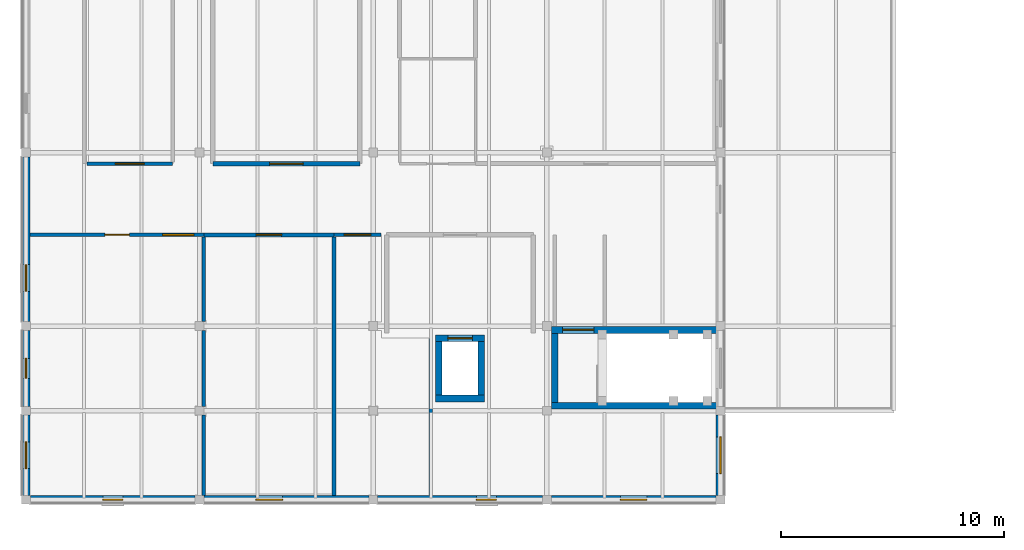
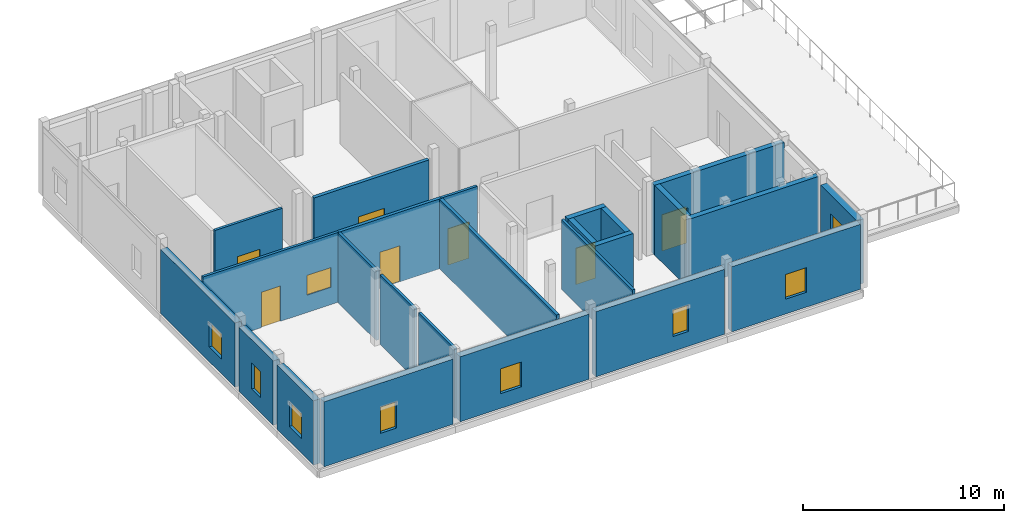
# One storey, part 34 of 45: 25 walls, 9 windows, 7 doors, 16 openings.
"""IFC4 building model written with IfcOpenShell, lengths in metres."""

import ifcopenshell
import ifcopenshell.guid

model = None  # the IFC model being written
_history = None  # IfcOwnerHistory: only IFC2X3 demands one
_inside = {}  # id of a spatial element -> (the spatial element, [elements in it])
_under = {}  # id of a project, library or spatial element -> (it, [spatial elements below it])
_declared = {}  # id of a project -> (the project, [libraries it declares])
_typed = {}  # id of a type object -> (the type object, [elements of that type])
_made_of = {}  # id of a material, layer set ... -> (it, [elements and type objects made of it])


def new_model(schema):
    """Start an empty IFC model of exactly this schema.

    Asked for "IFC4X3", IfcOpenShell would pick the latest addendum, in which some entities
    have other attributes; the version numbers below select the first issue.
    IFC2X3 requires an IfcOwnerHistory on every rooted entity: one is made here for all.
    """
    global model, _history
    if schema == "IFC4X3":
        model = ifcopenshell.file(schema_version=(4, 3, 0, 0))
    else:
        model = ifcopenshell.file(schema=schema)
    _inside.clear()
    _under.clear()
    _declared.clear()
    _typed.clear()
    _made_of.clear()
    _history = None
    if model.schema == "IFC2X3":
        org = make("IfcOrganization", Name="unknown")
        user = make(
            "IfcPersonAndOrganization",
            ThePerson=make("IfcPerson", FamilyName="unknown"),
            TheOrganization=org,
        )
        app = make(
            "IfcApplication",
            ApplicationDeveloper=org,
            Version="unknown",
            ApplicationFullName="unknown",
            ApplicationIdentifier="unknown",
        )
        _history = make(
            "IfcOwnerHistory",
            OwningUser=user,
            OwningApplication=app,
            ChangeAction="ADDED",
            CreationDate=0,
        )
    return model


def make(cls, **values):
    """One entity of the class cls with the attributes given. An attribute that is None is left unset."""
    return model.create_entity(
        cls, **{name: value for name, value in values.items() if value is not None}
    )


def rooted(cls, **values):
    """An entity with a GlobalId (a new one), such as an element, a storey or a relation."""
    return make(cls, GlobalId=ifcopenshell.guid.new(), OwnerHistory=_history, **values)


def si_unit(unit_type, name, prefix=None):
    """IfcSIUnit, for example si_unit("LENGTHUNIT", "METRE", prefix="MILLI")."""
    return make("IfcSIUnit", UnitType=unit_type, Prefix=prefix, Name=name)


def assignment(units):
    """IfcUnitAssignment: the units of a project."""
    return None if units is None else make("IfcUnitAssignment", Units=units)


def point(xyz):
    """IfcCartesianPoint."""
    return None if xyz is None else make("IfcCartesianPoint", Coordinates=xyz)


def direction(xyz):
    """IfcDirection."""
    return None if xyz is None else make("IfcDirection", DirectionRatios=xyz)


def frame(location, z_axis=None, x_axis=None):
    """IfcAxis2Placement3D, a coordinate frame: its origin and axes. An axis left out is left unset."""
    return make(
        "IfcAxis2Placement3D",
        Location=point(location),
        Axis=direction(z_axis),
        RefDirection=direction(x_axis),
    )


def frame_2d(location, x_axis=None):
    """IfcAxis2Placement2D, a coordinate frame in the plane: its origin and x axis."""
    return make(
        "IfcAxis2Placement2D", Location=point(location), RefDirection=direction(x_axis)
    )


def origin():
    """The frame at (0, 0, 0) with its axes left unset."""
    return frame((0.0, 0.0, 0.0))


def place(relative_to, where):
    """IfcLocalPlacement: puts the frame where relative to a parent placement (None: the world)."""
    return make(
        "IfcLocalPlacement", PlacementRelTo=relative_to, RelativePlacement=where
    )


def context(
    kind, dimensions, precision=None, world=None, true_north=None, identifier=None
):
    """IfcGeometricRepresentationContext, for example the 3D "Model" context."""
    return make(
        "IfcGeometricRepresentationContext",
        ContextIdentifier=identifier,
        ContextType=kind,
        CoordinateSpaceDimension=dimensions,
        Precision=precision,
        WorldCoordinateSystem=world,
        TrueNorth=true_north,
    )


def subcontext(parent, identifier, kind, view, scale=None):
    """IfcGeometricRepresentationSubContext, for example "Body" below "Model"."""
    return make(
        "IfcGeometricRepresentationSubContext",
        ContextIdentifier=identifier,
        ContextType=kind,
        ParentContext=parent,
        TargetScale=scale,
        TargetView=view,
    )


def project(units=None, contexts=None):
    """IfcProject with its units and contexts."""
    return rooted(
        "IfcProject",
        Name="project",
        RepresentationContexts=contexts,
        UnitsInContext=assignment(units),
    )


def spatial(cls, under=None, at=None, **own):
    """A site, building, storey or space (cls), placed at a placement, below another one or the project."""
    s = rooted(cls, ObjectPlacement=at, **own)
    if under is not None:
        _under.setdefault(under.id(), (under, []))[1].append(s)
    return s


def profile(cls, at=None, kind="AREA", **sizes):
    """A parametric profile (cls). Its sizes go by their IFC names, for example OverallWidth=200.0."""
    return make(cls, ProfileType=kind, Position=at, **sizes)


def rectangle(**sizes):
    """IfcRectangleProfileDef."""
    return profile("IfcRectangleProfileDef", **sizes)


def extrude(swept, where, along, depth):
    """IfcExtrudedAreaSolid: the profile swept, set in the frame where, extruded along a direction by depth."""
    return make(
        "IfcExtrudedAreaSolid",
        SweptArea=swept,
        Position=where,
        ExtrudedDirection=direction(along),
        Depth=depth,
    )


def shape(context_of_items, identifier, shape_type, items):
    """IfcShapeRepresentation: the items that make up one representation, for example the "Body"."""
    return make(
        "IfcShapeRepresentation",
        ContextOfItems=context_of_items,
        RepresentationIdentifier=identifier,
        RepresentationType=shape_type,
        Items=items,
    )


def material(Name=None, Category=None):
    """IfcMaterial."""
    return make("IfcMaterial", Name=Name, Category=Category)


def layer(
    of_material, thickness, ventilated=None, Name=None, Category=None, Priority=None
):
    """IfcMaterialLayer: one layer of a wall or slab, of a material (None: an air gap)."""
    return make(
        "IfcMaterialLayer",
        Material=of_material,
        LayerThickness=thickness,
        IsVentilated=ventilated,
        Name=Name,
        Category=Category,
        Priority=Priority,
    )


def layer_set(layers, Name=None):
    """IfcMaterialLayerSet."""
    return make("IfcMaterialLayerSet", MaterialLayers=layers, LayerSetName=Name)


def made_of(thing, what):
    """Note that an element or type object is made of a material, layer set ...; save() writes the relation."""
    if what is not None:
        _made_of.setdefault(what.id(), (what, []))[1].append(thing)
    return thing


def type_object(cls, material=None, **own):
    """A type object (cls), such as IfcWallType, which elements share."""
    return made_of(rooted(cls, **own), material)


def element(
    cls,
    number,
    at=None,
    inside=None,
    cuts=None,
    type_object=None,
    material=None,
    context=None,
    identifier="Body",
    shape_type=None,
    held_by="IfcProductDefinitionShape",
    body=None,
    shapes=None,
    **own,
):
    """One element of the class cls, such as IfcWall. Its Tag is "e" and its number.

    at: its placement. inside: the storey or other place that contains it. cuts: it is an
    opening in that element (IfcRelVoidsElement). A single representation is given by context,
    identifier, shape_type and body (its items); several are given by shapes. held_by: the class
    of the entity that holds the representations. save() writes the other relations.
    """
    e = rooted(cls, Tag="e%d" % number, ObjectPlacement=at, **own)
    if body is not None:
        shapes = [shape(context, identifier, shape_type, body)]
    if shapes is not None:
        e.Representation = make(held_by, Representations=shapes)
    if inside is not None:
        _inside.setdefault(inside.id(), (inside, []))[1].append(e)
    if cuts is not None:
        rooted(
            "IfcRelVoidsElement", RelatingBuildingElement=cuts, RelatedOpeningElement=e
        )
    if type_object is not None:
        _typed.setdefault(type_object.id(), (type_object, []))[1].append(e)
    return made_of(e, material)


def fill(opening, filler):
    """IfcRelFillsElement: the door or window that sits in an opening."""
    return rooted(
        "IfcRelFillsElement",
        RelatingOpeningElement=opening,
        RelatedBuildingElement=filler,
    )


def aggregate(whole, parts):
    """IfcRelAggregates: a whole, such as a stair, and the parts it consists of."""
    return rooted("IfcRelAggregates", RelatingObject=whole, RelatedObjects=parts)


def save(model, path):
    """Write the relations noted so far, then the file.

    IfcRelAggregates (storeys below a building ...), IfcRelContainedInSpatialStructure (elements
    in a storey), IfcRelDefinesByType, IfcRelAssociatesMaterial and IfcRelDeclares: one each for
    every whole, place, type object, material and project.
    """
    for whole, parts in _under.values():
        aggregate(whole, parts)
    for where, things in _inside.values():
        rooted(
            "IfcRelContainedInSpatialStructure",
            RelatedElements=things,
            RelatingStructure=where,
        )
    for kind, things in _typed.values():
        rooted("IfcRelDefinesByType", RelatedObjects=things, RelatingType=kind)
    for what, things in _made_of.values():
        rooted("IfcRelAssociatesMaterial", RelatedObjects=things, RelatingMaterial=what)
    for by, libraries in _declared.values():
        rooted("IfcRelDeclares", RelatingContext=by, RelatedDefinitions=libraries)
    model.write(path)


model = new_model("IFC4")

# Units and contexts
model_context = context("Model", 3, precision=1e-05, world=origin(), true_north=direction((0.0, 1.0)))
body_context = subcontext(model_context, "Body", "Model", "MODEL_VIEW")
ifc_project = project(units=[si_unit("LENGTHUNIT", "METRE"), si_unit("AREAUNIT", "SQUARE_METRE"), si_unit("VOLUMEUNIT", "CUBIC_METRE"), si_unit("PLANEANGLEUNIT", "RADIAN"), si_unit("MASSUNIT", "GRAM", prefix="KILO")], contexts=[model_context])

# Site, building, storey
site_placement = place(None, origin())
site = spatial("IfcSite", under=ifc_project, at=site_placement, CompositionType="ELEMENT")
building_placement = place(site_placement, origin())
building = spatial("IfcBuilding", under=site, at=building_placement, Name="Celorna Specialist Clinic", CompositionType="ELEMENT")
storey_placement = place(building_placement, frame((0.0, 0.0, 18.60009765625)))
storey = spatial("IfcBuildingStorey", under=building, at=storey_placement, Name="L04", CompositionType="ELEMENT", Elevation=18.60009765625)

# Wall, opening, window
ifc_material_1 = material(Name="Terracotta masonry with insulated cavity", Category="masonry")
ifc_layer_1 = layer(ifc_material_1, 0.3798828125, Name="Terracotta masonry with insulated cavity")
ifc_layer_set_1 = layer_set([ifc_layer_1], Name="Terracotta masonry with insulated cavity")
wall_type_1 = type_object("IfcWallType", Name="WT-06", PredefinedType="STANDARD", material=ifc_layer_set_1)
wall_1_placement = place(storey_placement, frame((7.60009765625, 0.0, 0.0), z_axis=(0.0, 0.0, 1.0), x_axis=(-1.0, 0.0, 0.0)))
wall_1 = element("IfcWall", 1, at=wall_1_placement, inside=storey, type_object=wall_type_1, Name="External facade wall WT-06 #360", PredefinedType="STANDARD", context=body_context, shape_type="SweptSolid", body=[
    extrude(rectangle(XDim=7.400146484375, YDim=0.3798828125, at=frame_2d((3.7001953125, 0.0))), origin(), (0.0, 0.0, 1.0), 3.949951171875),
])
opening_1_placement = place(wall_1_placement, frame((3.25, 0.0, 0.89990234375)))
opening_1 = element("IfcOpeningElement", 2, at=opening_1_placement, cuts=wall_1, Name="Opening WN-01", PredefinedType="OPENING", context=body_context, shape_type="SweptSolid", body=[
    extrude(rectangle(XDim=0.89990234375, YDim=1.60009765625, at=frame_2d((0.449951171875, 0.800048828125))), frame((0.0, 0.199951171875, 0.0), z_axis=(0.0, -1.0, 0.0), x_axis=(1.0, 0.0, 0.0)), (0.0, 0.0, 1.0), 0.39990234375),
])
ifc_material_2 = material(Name="Thermally broken aluminium triple-glazed window", Category="aluminium")
window_type_1 = type_object("IfcWindowType", Name="WN-01", PartitioningType="SINGLE_PANEL", PredefinedType="WINDOW", material=ifc_material_2)
window_1_placement = place(opening_1_placement, origin())
window_1 = element("IfcWindow", 3, at=window_1_placement, inside=storey, type_object=window_type_1, Name="Facade window WN-01 #224", OverallHeight=1.60009765625, OverallWidth=0.89990234375, PartitioningType="SINGLE_PANEL", PredefinedType="WINDOW", context=body_context, shape_type="SweptSolid", body=[
    extrude(rectangle(XDim=0.89990234375, YDim=1.60009765625, at=frame_2d((0.449951171875, 0.800048828125))), frame((0.0, 0.030029296875, 0.0), z_axis=(0.0, -1.0, 0.0), x_axis=(1.0, 0.0, 0.0)), (0.0, 0.0, 1.0), 0.06005859375),
])
fill(opening_1, window_1)

wall_2_placement = place(storey_placement, frame((15.39990234375, 0.0, 0.0), z_axis=(0.0, 0.0, 1.0), x_axis=(-1.0, 0.0, 0.0)))
wall_2 = element("IfcWall", 4, at=wall_2_placement, inside=storey, type_object=wall_type_1, Name="External facade wall WT-06 #361", PredefinedType="STANDARD", context=body_context, shape_type="SweptSolid", body=[
    extrude(rectangle(XDim=7.39990234375, YDim=0.3798828125, at=frame_2d((3.699951171875, 0.0))), origin(), (0.0, 0.0, 1.0), 3.949951171875),
])
opening_2_placement = place(wall_2_placement, frame((3.8701171875, 0.0, 0.89990234375)))
opening_2 = element("IfcOpeningElement", 5, at=opening_2_placement, cuts=wall_2, Name="Opening WN-04", PredefinedType="OPENING", context=body_context, shape_type="SweptSolid", body=[
    extrude(rectangle(XDim=1.199951171875, YDim=1.5, at=frame_2d((0.60009765625, 0.75))), frame((0.0, 0.199951171875, 0.0), z_axis=(0.0, -1.0, 0.0), x_axis=(1.0, 0.0, 0.0)), (0.0, 0.0, 1.0), 0.39990234375),
])
window_type_2 = type_object("IfcWindowType", Name="WN-04", PartitioningType="SINGLE_PANEL", PredefinedType="WINDOW", material=ifc_material_2)
window_2_placement = place(opening_2_placement, origin())
window_2 = element("IfcWindow", 6, at=window_2_placement, inside=storey, type_object=window_type_2, Name="Facade window WN-04 #225", OverallHeight=1.5, OverallWidth=1.199951171875, PartitioningType="SINGLE_PANEL", PredefinedType="WINDOW", context=body_context, shape_type="SweptSolid", body=[
    extrude(rectangle(XDim=1.199951171875, YDim=1.5, at=frame_2d((0.60009765625, 0.75))), frame((0.0, 0.030029296875, 0.0), z_axis=(0.0, -1.0, 0.0), x_axis=(1.0, 0.0, 0.0)), (0.0, 0.0, 1.0), 0.06005859375),
])
fill(opening_2, window_2)

wall_3_placement = place(storey_placement, frame((23.199951171875, 0.0, 0.0), z_axis=(0.0, 0.0, 1.0), x_axis=(-1.0, 0.0, 0.0)))
wall_3 = element("IfcWall", 7, at=wall_3_placement, inside=storey, type_object=wall_type_1, Name="External facade wall WT-06 #362", PredefinedType="STANDARD", context=body_context, shape_type="SweptSolid", body=[
    extrude(rectangle(XDim=7.39990234375, YDim=0.3798828125, at=frame_2d((3.699951171875, 0.0))), origin(), (0.0, 0.0, 1.0), 3.949951171875),
])
opening_3_placement = place(wall_3_placement, frame((2.06494140625, 0.0, 0.89990234375)))
opening_3 = element("IfcOpeningElement", 8, at=opening_3_placement, cuts=wall_3, Name="Opening WN-01", PredefinedType="OPENING", context=body_context, shape_type="SweptSolid", body=[
    extrude(rectangle(XDim=0.89990234375, YDim=1.60009765625, at=frame_2d((0.449951171875, 0.800048828125))), frame((0.0, 0.199951171875, 0.0), z_axis=(0.0, -1.0, 0.0), x_axis=(1.0, 0.0, 0.0)), (0.0, 0.0, 1.0), 0.39990234375),
])
window_3_placement = place(opening_3_placement, origin())
window_3 = element("IfcWindow", 9, at=window_3_placement, inside=storey, type_object=window_type_1, Name="Facade window WN-01 #226", OverallHeight=1.60009765625, OverallWidth=0.89990234375, PartitioningType="SINGLE_PANEL", PredefinedType="WINDOW", context=body_context, shape_type="SweptSolid", body=[
    extrude(rectangle(XDim=0.89990234375, YDim=1.60009765625, at=frame_2d((0.449951171875, 0.800048828125))), frame((0.0, 0.030029296875, 0.0), z_axis=(0.0, -1.0, 0.0), x_axis=(1.0, 0.0, 0.0)), (0.0, 0.0, 1.0), 0.06005859375),
])
fill(opening_3, window_3)

wall_4_placement = place(storey_placement, frame((31.0, 0.0, 0.0), z_axis=(0.0, 0.0, 1.0), x_axis=(-1.0, 0.0, 0.0)))
wall_4 = element("IfcWall", 10, at=wall_4_placement, inside=storey, type_object=wall_type_1, Name="External facade wall WT-06 #363", PredefinedType="STANDARD", context=body_context, shape_type="SweptSolid", body=[
    extrude(rectangle(XDim=7.39990234375, YDim=0.3798828125, at=frame_2d((3.699951171875, 0.0))), origin(), (0.0, 0.0, 1.0), 3.949951171875),
])
opening_4_placement = place(wall_4_placement, frame((3.10009765625, 0.0, 0.89990234375)))
opening_4 = element("IfcOpeningElement", 11, at=opening_4_placement, cuts=wall_4, Name="Opening WN-04", PredefinedType="OPENING", context=body_context, shape_type="SweptSolid", body=[
    extrude(rectangle(XDim=1.199951171875, YDim=1.5, at=frame_2d((0.60009765625, 0.75))), frame((0.0, 0.199951171875, 0.0), z_axis=(0.0, -1.0, 0.0), x_axis=(1.0, 0.0, 0.0)), (0.0, 0.0, 1.0), 0.39990234375),
])
window_4_placement = place(opening_4_placement, origin())
window_4 = element("IfcWindow", 12, at=window_4_placement, inside=storey, type_object=window_type_2, Name="Facade window WN-04 #227", OverallHeight=1.5, OverallWidth=1.199951171875, PartitioningType="SINGLE_PANEL", PredefinedType="WINDOW", context=body_context, shape_type="SweptSolid", body=[
    extrude(rectangle(XDim=1.199951171875, YDim=1.5, at=frame_2d((0.60009765625, 0.75))), frame((0.0, 0.030029296875, 0.0), z_axis=(0.0, -1.0, 0.0), x_axis=(1.0, 0.0, 0.0)), (0.0, 0.0, 1.0), 0.06005859375),
])
fill(opening_4, window_4)

wall_5_placement = place(storey_placement, frame((0.0, 0.199951171875, 0.0), z_axis=(0.0, 0.0, 1.0), x_axis=(0.0, 1.0, 0.0)))
wall_5 = element("IfcWall", 13, at=wall_5_placement, inside=storey, type_object=wall_type_1, Name="External facade wall WT-06 #368", PredefinedType="STANDARD", context=body_context, shape_type="SweptSolid", body=[
    extrude(rectangle(XDim=3.60009765625, YDim=0.3798828125, at=frame_2d((1.800048828125, 0.0))), origin(), (0.0, 0.0, 1.0), 3.89990234375),
])
opening_5_placement = place(wall_5_placement, frame((1.199951171875, 0.0, 0.89990234375)))
opening_5 = element("IfcOpeningElement", 14, at=opening_5_placement, cuts=wall_5, Name="Opening WN-04", PredefinedType="OPENING", context=body_context, shape_type="SweptSolid", body=[
    extrude(rectangle(XDim=1.199951171875, YDim=1.5, at=frame_2d((0.60009765625, 0.75))), frame((0.0, 0.199951171875, 0.0), z_axis=(0.0, -1.0, 0.0), x_axis=(1.0, 0.0, 0.0)), (0.0, 0.0, 1.0), 0.39990234375),
])
window_5_placement = place(opening_5_placement, origin())
window_5 = element("IfcWindow", 15, at=window_5_placement, inside=storey, type_object=window_type_2, Name="Facade window WN-04 #234", OverallHeight=1.5, OverallWidth=1.199951171875, PartitioningType="SINGLE_PANEL", PredefinedType="WINDOW", context=body_context, shape_type="SweptSolid", body=[
    extrude(rectangle(XDim=1.199951171875, YDim=1.5, at=frame_2d((0.60009765625, 0.75))), frame((0.0, 0.030029296875, 0.0), z_axis=(0.0, -1.0, 0.0), x_axis=(1.0, 0.0, 0.0)), (0.0, 0.0, 1.0), 0.06005859375),
])
fill(opening_5, window_5)

wall_6_placement = place(storey_placement, frame((0.0, 4.199951171875, 0.0), z_axis=(0.0, 0.0, 1.0), x_axis=(0.0, 1.0, 0.0)))
wall_6 = element("IfcWall", 16, at=wall_6_placement, inside=storey, type_object=wall_type_1, Name="External facade wall WT-06 #369", PredefinedType="STANDARD", context=body_context, shape_type="SweptSolid", body=[
    extrude(rectangle(XDim=3.400146484375, YDim=0.3798828125, at=frame_2d((1.7001953125, 0.0))), origin(), (0.0, 0.0, 1.0), 3.89990234375),
])
opening_6_placement = place(wall_6_placement, frame((1.25, 0.0, 0.89990234375)))
opening_6 = element("IfcOpeningElement", 17, at=opening_6_placement, cuts=wall_6, Name="Opening WN-01", PredefinedType="OPENING", context=body_context, shape_type="SweptSolid", body=[
    extrude(rectangle(XDim=0.89990234375, YDim=1.60009765625, at=frame_2d((0.449951171875, 0.800048828125))), frame((0.0, 0.199951171875, 0.0), z_axis=(0.0, -1.0, 0.0), x_axis=(1.0, 0.0, 0.0)), (0.0, 0.0, 1.0), 0.39990234375),
])
window_6_placement = place(opening_6_placement, origin())
window_6 = element("IfcWindow", 18, at=window_6_placement, inside=storey, type_object=window_type_1, Name="Facade window WN-01 #235", OverallHeight=1.60009765625, OverallWidth=0.89990234375, PartitioningType="SINGLE_PANEL", PredefinedType="WINDOW", context=body_context, shape_type="SweptSolid", body=[
    extrude(rectangle(XDim=0.89990234375, YDim=1.60009765625, at=frame_2d((0.449951171875, 0.800048828125))), frame((0.0, 0.030029296875, 0.0), z_axis=(0.0, -1.0, 0.0), x_axis=(1.0, 0.0, 0.0)), (0.0, 0.0, 1.0), 0.06005859375),
])
fill(opening_6, window_6)

wall_7_placement = place(storey_placement, frame((0.0, 8.0, 0.0), z_axis=(0.0, 0.0, 1.0), x_axis=(0.0, 1.0, 0.0)))
wall_7 = element("IfcWall", 19, at=wall_7_placement, inside=storey, type_object=wall_type_1, Name="External facade wall WT-06 #370", PredefinedType="STANDARD", context=body_context, shape_type="SweptSolid", body=[
    extrude(rectangle(XDim=7.39990234375, YDim=0.3798828125, at=frame_2d((3.699951171875, 0.0))), origin(), (0.0, 0.0, 1.0), 3.89990234375),
])
opening_7_placement = place(wall_7_placement, frame((1.360107421875, 0.0, 0.89990234375)))
opening_7 = element("IfcOpeningElement", 20, at=opening_7_placement, cuts=wall_7, Name="Opening WN-04", PredefinedType="OPENING", context=body_context, shape_type="SweptSolid", body=[
    extrude(rectangle(XDim=1.199951171875, YDim=1.5, at=frame_2d((0.60009765625, 0.75))), frame((0.0, 0.199951171875, 0.0), z_axis=(0.0, -1.0, 0.0), x_axis=(1.0, 0.0, 0.0)), (0.0, 0.0, 1.0), 0.39990234375),
])
window_7_placement = place(opening_7_placement, origin())
window_7 = element("IfcWindow", 21, at=window_7_placement, inside=storey, type_object=window_type_2, Name="Facade window WN-04 #236", OverallHeight=1.5, OverallWidth=1.199951171875, PartitioningType="SINGLE_PANEL", PredefinedType="WINDOW", context=body_context, shape_type="SweptSolid", body=[
    extrude(rectangle(XDim=1.199951171875, YDim=1.5, at=frame_2d((0.60009765625, 0.75))), frame((0.0, 0.030029296875, 0.0), z_axis=(0.0, -1.0, 0.0), x_axis=(1.0, 0.0, 0.0)), (0.0, 0.0, 1.0), 0.06005859375),
])
fill(opening_7, window_7)

wall_8_placement = place(storey_placement, frame((31.199951171875, 3.800048828125, 0.0), z_axis=(0.0, 0.0, 1.0), x_axis=(0.0, -1.0, 0.0)))
wall_8 = element("IfcWall", 22, at=wall_8_placement, inside=storey, type_object=wall_type_1, Name="External facade wall WT-06 #373", PredefinedType="STANDARD", context=body_context, shape_type="SweptSolid", body=[
    extrude(rectangle(XDim=3.60009765625, YDim=0.3798828125, at=frame_2d((1.800048828125, 0.0))), origin(), (0.0, 0.0, 1.0), 3.89990234375),
])
opening_8_placement = place(wall_8_placement, frame((0.97509765625, 0.0, 0.89990234375)))
opening_8 = element("IfcOpeningElement", 23, at=opening_8_placement, cuts=wall_8, Name="Opening WN-11", PredefinedType="OPENING", context=body_context, shape_type="SweptSolid", body=[
    extrude(rectangle(XDim=1.64990234375, YDim=1.85009765625, at=frame_2d((0.824951171875, 0.925048828125))), frame((0.0, 0.199951171875, 0.0), z_axis=(0.0, -1.0, 0.0), x_axis=(1.0, 0.0, 0.0)), (0.0, 0.0, 1.0), 0.39990234375),
])
window_type_3 = type_object("IfcWindowType", Name="WN-11", PartitioningType="SINGLE_PANEL", PredefinedType="WINDOW", material=ifc_material_2)
window_8_placement = place(opening_8_placement, origin())
window_8 = element("IfcWindow", 24, at=window_8_placement, inside=storey, type_object=window_type_3, Name="Facade window WN-11 #239", OverallHeight=1.85009765625, OverallWidth=1.64990234375, PartitioningType="SINGLE_PANEL", PredefinedType="WINDOW", context=body_context, shape_type="SweptSolid", body=[
    extrude(rectangle(XDim=1.64990234375, YDim=1.85009765625, at=frame_2d((0.824951171875, 0.925048828125))), frame((0.0, 0.030029296875, 0.0), z_axis=(0.0, -1.0, 0.0), x_axis=(1.0, 0.0, 0.0)), (0.0, 0.0, 1.0), 0.06005859375),
])
fill(opening_8, window_8)

# Wall
ifc_material_3 = material(Name="Concrete C35/45", Category="concrete")
ifc_layer_2 = layer(ifc_material_3, 0.300048828125, Name="Concrete C35/45")
ifc_layer_set_2 = layer_set([ifc_layer_2], Name="Concrete C35/45")
wall_type_2 = type_object("IfcWallType", Name="WT-08", PredefinedType="SHEAR", material=ifc_layer_set_2)
wall_9_placement = place(storey_placement, frame((23.610107421875, 4.22998046875, 0.0), z_axis=(0.0, 0.0, 1.0), x_axis=(1.0, 0.0, 0.0)))
element("IfcWall", 25, at=wall_9_placement, inside=storey, type_object=wall_type_2, Name="Stair ST-05 RC core wall L04 south", PredefinedType="SHEAR", context=body_context, shape_type="SweptSolid", body=[
    extrude(rectangle(XDim=7.43994140625, YDim=0.300048828125, at=frame_2d((3.719970703125, 0.0))), origin(), (0.0, 0.0, 1.0), 4.239990234375),
])

# Wall, opening, door
wall_10_placement = place(storey_placement, frame((31.050048828125, 7.6298828125, 0.0), z_axis=(0.0, 0.0, 1.0), x_axis=(-1.0, 0.0, 0.0)))
wall_10 = element("IfcWall", 26, at=wall_10_placement, inside=storey, type_object=wall_type_2, Name="Stair ST-05 RC core wall L04 north", PredefinedType="SHEAR", context=body_context, shape_type="SweptSolid", body=[
    extrude(rectangle(XDim=7.43994140625, YDim=0.300048828125, at=frame_2d((3.719970703125, 0.0))), origin(), (0.0, 0.0, 1.0), 4.239990234375),
])
opening_9_placement = place(wall_10_placement, frame((5.5400390625, 0.0, 0.0)))
opening_9 = element("IfcOpeningElement", 27, at=opening_9_placement, cuts=wall_10, Name="Opening DR-10", PredefinedType="OPENING", context=body_context, shape_type="SweptSolid", body=[
    extrude(rectangle(XDim=1.39990234375, YDim=2.199951171875, at=frame_2d((0.699951171875, 1.10009765625))), frame((0.0, 0.159912109375, 0.0), z_axis=(0.0, -1.0, 0.0), x_axis=(1.0, 0.0, 0.0)), (0.0, 0.0, 1.0), 0.320068359375),
])
ifc_material_4 = material(Name="Protected exit stair fire door")
door_type_1 = type_object("IfcDoorType", Name="DR-10", OperationType="NOTDEFINED", PredefinedType="DOOR", material=ifc_material_4)
door_1_placement = place(opening_9_placement, origin())
door_1 = element("IfcDoor", 28, at=door_1_placement, inside=storey, type_object=door_type_1, Name="Protected exit stair door ST-05 L04", OperationType="SINGLE_SWING_LEFT", OverallHeight=2.199951171875, OverallWidth=1.39990234375, PredefinedType="DOOR", context=body_context, shape_type="SweptSolid", body=[
    extrude(rectangle(XDim=1.39990234375, YDim=2.199951171875, at=frame_2d((0.699951171875, 1.10009765625))), frame((0.0, 0.02490234375, 0.0), z_axis=(0.0, -1.0, 0.0), x_axis=(1.0, 0.0, 0.0)), (0.0, 0.0, 1.0), 0.050048828125),
])
fill(opening_9, door_1)

# Walls
wall_11_placement = place(storey_placement, frame((23.760009765625, 7.47998046875, 0.0), z_axis=(0.0, 0.0, 1.0), x_axis=(0.0, -1.0, 0.0)))
element("IfcWall", 29, at=wall_11_placement, inside=storey, type_object=wall_type_2, Name="Stair ST-05 RC core wall L04 west", PredefinedType="SHEAR", context=body_context, shape_type="SweptSolid", body=[
    extrude(rectangle(XDim=3.10009765625, YDim=0.300048828125, at=frame_2d((1.550048828125, 0.0))), origin(), (0.0, 0.0, 1.0), 4.239990234375),
])
wall_12_placement = place(storey_placement, frame((18.39990234375, 4.550048828125, 0.0), z_axis=(0.0, 0.0, 1.0), x_axis=(1.0, 0.0, 0.0)))
element("IfcWall", 30, at=wall_12_placement, inside=storey, type_object=wall_type_2, Name="Lift LF-05 RC shaft wall L04", PredefinedType="SHEAR", context=body_context, shape_type="SweptSolid", body=[
    extrude(rectangle(XDim=2.2001953125, YDim=0.300048828125, at=frame_2d((1.10009765625, 0.0))), origin(), (0.0, 0.0, 1.0), 4.239990234375),
])

# Wall, opening, door
wall_13_placement = place(storey_placement, frame((20.60009765625, 7.25, 0.0), z_axis=(0.0, 0.0, 1.0), x_axis=(-1.0, 0.0, 0.0)))
wall_13 = element("IfcWall", 31, at=wall_13_placement, inside=storey, type_object=wall_type_2, Name="Lift LF-05 RC shaft wall L04", PredefinedType="SHEAR", context=body_context, shape_type="SweptSolid", body=[
    extrude(rectangle(XDim=2.2001953125, YDim=0.300048828125, at=frame_2d((1.10009765625, 0.0))), origin(), (0.0, 0.0, 1.0), 4.239990234375),
])
opening_10_placement = place(wall_13_placement, frame((0.550048828125, 0.0, 0.0)))
opening_10 = element("IfcOpeningElement", 32, at=opening_10_placement, cuts=wall_13, Name="Opening LD-01", PredefinedType="OPENING", context=body_context, shape_type="SweptSolid", body=[
    extrude(rectangle(XDim=1.10009765625, YDim=2.199951171875, at=frame_2d((0.550048828125, 1.10009765625))), frame((0.0, 0.159912109375, 0.0), z_axis=(0.0, -1.0, 0.0), x_axis=(1.0, 0.0, 0.0)), (0.0, 0.0, 1.0), 0.320068359375),
])
ifc_material_5 = material(Name="Stainless steel lift landing sliding door", Category="steel")
door_type_2 = type_object("IfcDoorType", Name="LD-01", OperationType="DOUBLE_DOOR_SLIDING", PredefinedType="DOOR", material=ifc_material_5)
door_2_placement = place(opening_10_placement, origin())
door_2 = element("IfcDoor", 33, at=door_2_placement, inside=storey, type_object=door_type_2, Name="Lift LF-05 sliding landing door L04", OperationType="DOUBLE_DOOR_SLIDING", OverallHeight=2.199951171875, OverallWidth=1.10009765625, PredefinedType="DOOR", context=body_context, shape_type="SweptSolid", body=[
    extrude(rectangle(XDim=1.10009765625, YDim=2.199951171875, at=frame_2d((0.550048828125, 1.10009765625))), frame((0.0, 0.02490234375, 0.0), z_axis=(0.0, -1.0, 0.0), x_axis=(1.0, 0.0, 0.0)), (0.0, 0.0, 1.0), 0.050048828125),
])
fill(opening_10, door_2)

# Walls
for number, where, z_axis, x_axis, name in (
    (34, (18.550048828125, 7.10009765625, 0.0), (0.0, 0.0, 1.0), (0.0, -1.0, 0.0), "Lift LF-05 RC shaft wall L04"),
    (35, (20.449951171875, 4.699951171875, 0.0), (0.0, 0.0, 1.0), (0.0, 1.0, 0.0), "Lift LF-05 RC shaft wall L04"),
):
    element("IfcWall", number, at=place(storey_placement, frame(where, z_axis=z_axis, x_axis=x_axis)), inside=storey, type_object=wall_type_2, Name=name, PredefinedType="SHEAR", context=body_context, shape_type="SweptSolid", body=[
        extrude(rectangle(XDim=2.400146484375, YDim=0.300048828125, at=frame_2d((1.2001953125, 0.0))), origin(), (0.0, 0.0, 1.0), 4.239990234375),
    ])

# Wall, opening, door
ifc_layer_3 = layer(ifc_material_3, 0.199951171875, Name="Concrete C35/45")
ifc_layer_set_3 = layer_set([ifc_layer_3], Name="Concrete C35/45")
wall_type_3 = type_object("IfcWallType", Name="WT-12", PredefinedType="SOLIDWALL", material=ifc_layer_set_3)
wall_14_placement = place(storey_placement, frame((8.39990234375, 15.10009765625, 0.0), z_axis=(0.0, 0.0, 1.0), x_axis=(1.0, 0.0, 0.0)))
wall_14 = element("IfcWall", 36, at=wall_14_placement, inside=storey, type_object=wall_type_3, Name="Firefighting lobby wall LF-04 L04", PredefinedType="SOLIDWALL", context=body_context, shape_type="SweptSolid", body=[
    extrude(rectangle(XDim=6.60009765625, YDim=0.199951171875, at=frame_2d((3.300048828125, 0.0))), origin(), (0.0, 0.0, 1.0), 4.239990234375),
])
opening_11_placement = place(wall_14_placement, frame((2.550048828125, 0.0, 0.0)))
opening_11 = element("IfcOpeningElement", 37, at=opening_11_placement, cuts=wall_14, Name="Opening DR-11", PredefinedType="OPENING", context=body_context, shape_type="SweptSolid", body=[
    extrude(rectangle(XDim=1.5, YDim=2.199951171875, at=frame_2d((0.75, 1.10009765625))), frame((0.0, 0.10986328125, 0.0), z_axis=(0.0, -1.0, 0.0), x_axis=(1.0, 0.0, 0.0)), (0.0, 0.0, 1.0), 0.219970703125),
])
ifc_material_6 = material(Name="Firefighting lobby double fire door")
door_type_3 = type_object("IfcDoorType", Name="DR-11", OperationType="DOUBLE_DOOR_SINGLE_SWING", PredefinedType="DOOR", material=ifc_material_6)
door_3_placement = place(opening_11_placement, origin())
door_3 = element("IfcDoor", 38, at=door_3_placement, inside=storey, type_object=door_type_3, Name="Firefighting lobby fire door LF-04 L04", OperationType="DOUBLE_DOOR_SINGLE_SWING", OverallHeight=2.199951171875, OverallWidth=1.5, PredefinedType="DOOR", context=body_context, shape_type="SweptSolid", body=[
    extrude(rectangle(XDim=1.5, YDim=2.199951171875, at=frame_2d((0.75, 1.10009765625))), frame((0.0, 0.02490234375, 0.0), z_axis=(0.0, -1.0, 0.0), x_axis=(1.0, 0.0, 0.0)), (0.0, 0.0, 1.0), 0.050048828125),
])
fill(opening_11, door_3)

ifc_material_7 = material(Name="Acoustic masonry clinical partition", Category="masonry")
ifc_layer_4 = layer(ifc_material_7, 0.179931640625, Name="Acoustic masonry clinical partition")
ifc_layer_set_4 = layer_set([ifc_layer_4], Name="Acoustic masonry clinical partition")
wall_type_4 = type_object("IfcWallType", Name="WT-13", PredefinedType="PARTITIONING", material=ifc_layer_set_4)
wall_15_placement = place(storey_placement, frame((13.840087890625, 11.89990234375, 0.0), z_axis=(0.0, 0.0, 1.0), x_axis=(-1.0, 0.0, 0.0)))
wall_15 = element("IfcWall", 39, at=wall_15_placement, inside=storey, type_object=wall_type_4, Name="Interior partition WT-13 L04-025", PredefinedType="PARTITIONING", context=body_context, shape_type="SweptSolid", body=[
    extrude(rectangle(XDim=5.85009765625, YDim=0.179931640625, at=frame_2d((2.925048828125, 0.0))), origin(), (0.0, 0.0, 1.0), 4.239990234375),
])
opening_12_placement = place(wall_15_placement, frame((2.35009765625, 0.0, 0.0)))
opening_12 = element("IfcOpeningElement", 40, at=opening_12_placement, cuts=wall_15, Name="Opening DR-07", PredefinedType="OPENING", context=body_context, shape_type="SweptSolid", body=[
    extrude(rectangle(XDim=1.14990234375, YDim=2.199951171875, at=frame_2d((0.574951171875, 1.10009765625))), frame((0.0, 0.099853515625, 0.0), z_axis=(0.0, -1.0, 0.0), x_axis=(1.0, 0.0, 0.0)), (0.0, 0.0, 1.0), 0.199951171875),
])
ifc_material_8 = material(Name="Hermetic cleanroom airlock door")
door_type_4 = type_object("IfcDoorType", Name="DR-07", OperationType="NOTDEFINED", PredefinedType="DOOR", material=ifc_material_8)
door_4_placement = place(opening_12_placement, origin())
door_4 = element("IfcDoor", 41, at=door_4_placement, inside=storey, type_object=door_type_4, Name="Investigational Medicinal Product Dispensary door L04-025", OperationType="SINGLE_SWING_RIGHT", OverallHeight=2.199951171875, OverallWidth=1.14990234375, PredefinedType="DOOR", context=body_context, shape_type="SweptSolid", body=[
    extrude(rectangle(XDim=1.14990234375, YDim=2.199951171875, at=frame_2d((0.574951171875, 1.10009765625))), frame((0.0, 0.02490234375, 0.0), z_axis=(0.0, -1.0, 0.0), x_axis=(1.0, 0.0, 0.0)), (0.0, 0.0, 1.0), 0.050048828125),
])
fill(opening_12, door_4)

# Wall
wall_16_placement = place(storey_placement, frame((13.840087890625, 0.18994140625, 0.0), z_axis=(0.0, 0.0, 1.0), x_axis=(0.0, 1.0, 0.0)))
element("IfcWall", 42, at=wall_16_placement, inside=storey, type_object=wall_type_4, Name="Room dividing partition WT-13 L04-025", PredefinedType="PARTITIONING", context=body_context, shape_type="SweptSolid", body=[
    extrude(rectangle(XDim=11.6201171875, YDim=0.179931640625, at=frame_2d((5.81005859375, 0.0))), origin(), (0.0, 0.0, 1.0), 4.239990234375),
])

# Wall, openings, door, window
ifc_material_9 = material(Name="Fire-rated gypsum board partition")
ifc_layer_5 = layer(ifc_material_9, 0.14990234375, Name="Fire-rated gypsum board partition")
ifc_layer_set_5 = layer_set([ifc_layer_5], Name="Fire-rated gypsum board partition")
wall_type_5 = type_object("IfcWallType", Name="WT-14", PredefinedType="PARTITIONING", material=ifc_layer_set_5)
wall_17_placement = place(storey_placement, frame((7.989990234375, 11.89990234375, 0.0), z_axis=(0.0, 0.0, 1.0), x_axis=(-1.0, 0.0, 0.0)))
wall_17 = element("IfcWall", 43, at=wall_17_placement, inside=storey, type_object=wall_type_5, Name="Interior partition WT-14 L04-024", PredefinedType="PARTITIONING", context=body_context, shape_type="SweptSolid", body=[
    extrude(rectangle(XDim=7.800048828125, YDim=0.14990234375, at=frame_2d((3.89990234375, 0.0))), origin(), (0.0, 0.0, 1.0), 4.239990234375),
])
opening_13_placement = place(wall_17_placement, frame((3.35009765625, 0.0, 0.0)))
opening_13 = element("IfcOpeningElement", 44, at=opening_13_placement, cuts=wall_17, Name="Opening DR-06", PredefinedType="OPENING", context=body_context, shape_type="SweptSolid", body=[
    extrude(rectangle(XDim=1.10009765625, YDim=2.14990234375, at=frame_2d((0.550048828125, 1.074951171875))), frame((0.0, 0.0849609375, 0.0), z_axis=(0.0, -1.0, 0.0), x_axis=(1.0, 0.0, 0.0)), (0.0, 0.0, 1.0), 0.169921875),
])
opening_14_placement = place(wall_17_placement, frame((0.449951171875, 0.0, 1.050048828125)))
opening_14 = element("IfcOpeningElement", 45, at=opening_14_placement, cuts=wall_17, Name="Opening WN-20", PredefinedType="OPENING", context=body_context, shape_type="SweptSolid", body=[
    extrude(rectangle(XDim=1.39990234375, YDim=1.199951171875, at=frame_2d((0.699951171875, 0.60009765625))), frame((0.0, 0.0849609375, 0.0), z_axis=(0.0, -1.0, 0.0), x_axis=(1.0, 0.0, 0.0)), (0.0, 0.0, 1.0), 0.169921875),
])
ifc_material_10 = material(Name="Clinical treatment suite door")
door_type_5 = type_object("IfcDoorType", Name="DR-06", OperationType="NOTDEFINED", PredefinedType="DOOR", material=ifc_material_10)
door_5_placement = place(opening_13_placement, origin())
door_5 = element("IfcDoor", 46, at=door_5_placement, inside=storey, type_object=door_type_5, Name="Phase I Clinical Trials Infusion Suite door L04-024", OperationType="SINGLE_SWING_LEFT", OverallHeight=2.14990234375, OverallWidth=1.10009765625, PredefinedType="DOOR", context=body_context, shape_type="SweptSolid", body=[
    extrude(rectangle(XDim=1.10009765625, YDim=2.14990234375, at=frame_2d((0.550048828125, 1.074951171875))), frame((0.0, 0.02490234375, 0.0), z_axis=(0.0, -1.0, 0.0), x_axis=(1.0, 0.0, 0.0)), (0.0, 0.0, 1.0), 0.050048828125),
])
fill(opening_13, door_5)
ifc_material_11 = material(Name="Lead-glass clinical observation window", Category="glass")
window_type_4 = type_object("IfcWindowType", Name="WN-20", PartitioningType="SINGLE_PANEL", PredefinedType="WINDOW", material=ifc_material_11)
window_9_placement = place(opening_14_placement, origin())
window_9 = element("IfcWindow", 47, at=window_9_placement, inside=storey, type_object=window_type_4, Name="Clinical observation window L04-024", OverallHeight=1.199951171875, OverallWidth=1.39990234375, PartitioningType="SINGLE_PANEL", PredefinedType="WINDOW", context=body_context, shape_type="SweptSolid", body=[
    extrude(rectangle(XDim=1.39990234375, YDim=1.199951171875, at=frame_2d((0.699951171875, 0.60009765625))), frame((0.0, 0.030029296875, 0.0), z_axis=(0.0, -1.0, 0.0), x_axis=(1.0, 0.0, 0.0)), (0.0, 0.0, 1.0), 0.06005859375),
])
fill(opening_14, window_9)

# Wall, opening, door
wall_18_placement = place(storey_placement, frame((15.949951171875, 11.89990234375, 0.0), z_axis=(0.0, 0.0, 1.0), x_axis=(-1.0, 0.0, 0.0)))
wall_18 = element("IfcWall", 48, at=wall_18_placement, inside=storey, type_object=wall_type_5, Name="Interior partition WT-14 L04-026", PredefinedType="PARTITIONING", context=body_context, shape_type="SweptSolid", body=[
    extrude(rectangle(XDim=2.10986328125, YDim=0.14990234375, at=frame_2d((1.054931640625, 0.0))), origin(), (0.0, 0.0, 1.0), 4.239990234375),
])
opening_15_placement = place(wall_18_placement, frame((0.4599609375, 0.0, 0.0)))
opening_15 = element("IfcOpeningElement", 49, at=opening_15_placement, cuts=wall_18, Name="Opening DR-08", PredefinedType="OPENING", context=body_context, shape_type="SweptSolid", body=[
    extrude(rectangle(XDim=1.199951171875, YDim=2.199951171875, at=frame_2d((0.60009765625, 1.10009765625))), frame((0.0, 0.0849609375, 0.0), z_axis=(0.0, -1.0, 0.0), x_axis=(1.0, 0.0, 0.0)), (0.0, 0.0, 1.0), 0.169921875),
])
ifc_material_12 = material(Name="Stretcher-width clinical door")
door_type_6 = type_object("IfcDoorType", Name="DR-08", OperationType="NOTDEFINED", PredefinedType="DOOR", material=ifc_material_12)
door_6_placement = place(opening_15_placement, origin())
door_6 = element("IfcDoor", 50, at=door_6_placement, inside=storey, type_object=door_type_6, Name="Pharmacokinetics Specimen Processing Lab door L04-026", OperationType="SINGLE_SWING_LEFT", OverallHeight=2.199951171875, OverallWidth=1.199951171875, PredefinedType="DOOR", context=body_context, shape_type="SweptSolid", body=[
    extrude(rectangle(XDim=1.199951171875, YDim=2.199951171875, at=frame_2d((0.60009765625, 1.10009765625))), frame((0.0, 0.02490234375, 0.0), z_axis=(0.0, -1.0, 0.0), x_axis=(1.0, 0.0, 0.0)), (0.0, 0.0, 1.0), 0.050048828125),
])
fill(opening_15, door_6)

wall_19_placement = place(storey_placement, frame((2.72998046875, 15.10009765625, 0.0), z_axis=(0.0, 0.0, 1.0), x_axis=(1.0, 0.0, 0.0)))
wall_19 = element("IfcWall", 51, at=wall_19_placement, inside=storey, type_object=wall_type_5, Name="Interior partition WT-14 L04-027", PredefinedType="PARTITIONING", context=body_context, shape_type="SweptSolid", body=[
    extrude(rectangle(XDim=3.860107421875, YDim=0.14990234375, at=frame_2d((1.93017578125, 0.0))), origin(), (0.0, 0.0, 1.0), 4.239990234375),
])
opening_16_placement = place(wall_19_placement, frame((1.280029296875, 0.0, 0.0)))
opening_16 = element("IfcOpeningElement", 52, at=opening_16_placement, cuts=wall_19, Name="Opening DR-09", PredefinedType="OPENING", context=body_context, shape_type="SweptSolid", body=[
    extrude(rectangle(XDim=1.300048828125, YDim=2.199951171875, at=frame_2d((0.64990234375, 1.10009765625))), frame((0.0, 0.0849609375, 0.0), z_axis=(0.0, -1.0, 0.0), x_axis=(1.0, 0.0, 0.0)), (0.0, 0.0, 1.0), 0.169921875),
])
ifc_material_13 = material(Name="Lead-lined radiology room door")
door_type_7 = type_object("IfcDoorType", Name="DR-09", OperationType="NOTDEFINED", PredefinedType="DOOR", material=ifc_material_13)
door_7_placement = place(opening_16_placement, origin())
door_7 = element("IfcDoor", 53, at=door_7_placement, inside=storey, type_object=door_type_7, Name="Trial Patient Observation Room door L04-027", OperationType="SINGLE_SWING_RIGHT", OverallHeight=2.199951171875, OverallWidth=1.300048828125, PredefinedType="DOOR", context=body_context, shape_type="SweptSolid", body=[
    extrude(rectangle(XDim=1.300048828125, YDim=2.199951171875, at=frame_2d((0.64990234375, 1.10009765625))), frame((0.0, 0.02490234375, 0.0), z_axis=(0.0, -1.0, 0.0), x_axis=(1.0, 0.0, 0.0)), (0.0, 0.0, 1.0), 0.050048828125),
])
fill(opening_16, door_7)

# Walls
wall_20_placement = place(storey_placement, frame((7.989990234375, 0.199951171875, 0.0), z_axis=(0.0, 0.0, 1.0), x_axis=(0.0, 1.0, 0.0)))
element("IfcWall", 54, at=wall_20_placement, inside=storey, type_object=wall_type_5, Name="Room dividing partition WT-14 L04-024", PredefinedType="PARTITIONING", context=body_context, shape_type="SweptSolid", body=[
    extrude(rectangle(XDim=3.60009765625, YDim=0.14990234375, at=frame_2d((1.800048828125, 0.0))), origin(), (0.0, 0.0, 1.0), 4.239990234375),
])
wall_21_placement = place(storey_placement, frame((7.989990234375, 4.199951171875, 0.0), z_axis=(0.0, 0.0, 1.0), x_axis=(0.0, 1.0, 0.0)))
element("IfcWall", 55, at=wall_21_placement, inside=storey, type_object=wall_type_5, Name="Room dividing partition WT-14 L04-024", PredefinedType="PARTITIONING", context=body_context, shape_type="SweptSolid", body=[
    extrude(rectangle(XDim=3.400146484375, YDim=0.14990234375, at=frame_2d((1.7001953125, 0.0))), origin(), (0.0, 0.0, 1.0), 4.239990234375),
])
wall_22_placement = place(storey_placement, frame((7.989990234375, 8.0, 0.0), z_axis=(0.0, 0.0, 1.0), x_axis=(0.0, 1.0, 0.0)))
element("IfcWall", 56, at=wall_22_placement, inside=storey, type_object=wall_type_5, Name="Room dividing partition WT-14 L04-024", PredefinedType="PARTITIONING", context=body_context, shape_type="SweptSolid", body=[
    extrude(rectangle(XDim=3.81005859375, YDim=0.14990234375, at=frame_2d((1.905029296875, 0.0))), origin(), (0.0, 0.0, 1.0), 4.239990234375),
])
wall_23_placement = place(storey_placement, frame((18.18994140625, 0.18994140625, 0.0), z_axis=(0.0, 0.0, 1.0), x_axis=(0.0, 1.0, 0.0)))
element("IfcWall", 57, at=wall_23_placement, inside=storey, type_object=wall_type_5, Name="Room dividing partition WT-14 L04-026", PredefinedType="PARTITIONING", context=body_context, shape_type="SweptSolid", body=[
    extrude(rectangle(XDim=7.06005859375, YDim=0.14990234375, at=frame_2d((3.530029296875, 0.0))), origin(), (0.0, 0.0, 1.0), 4.239990234375),
])

save(model, "model.ifc")
